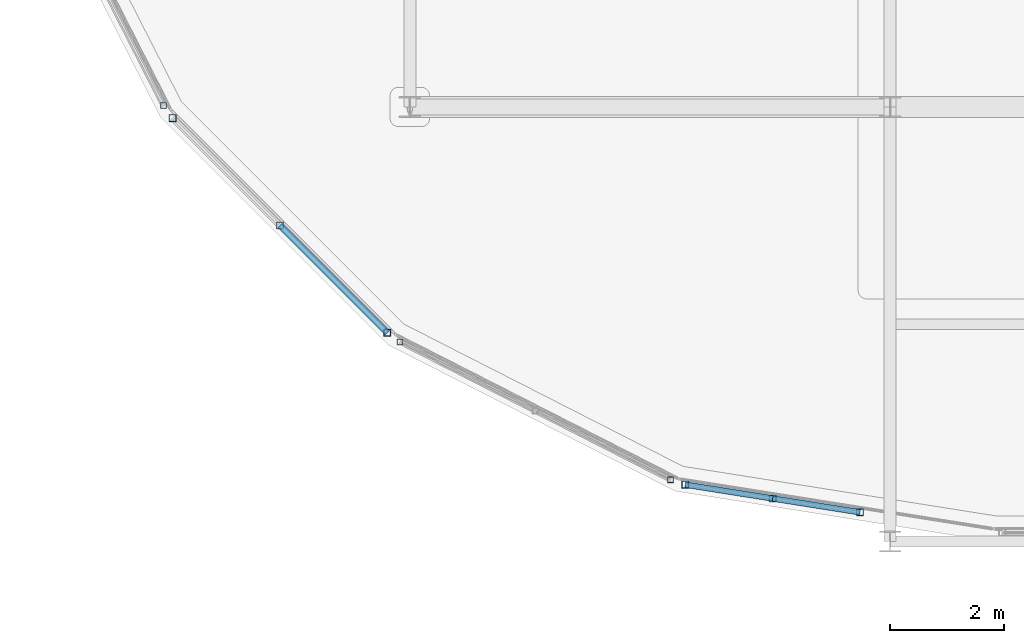
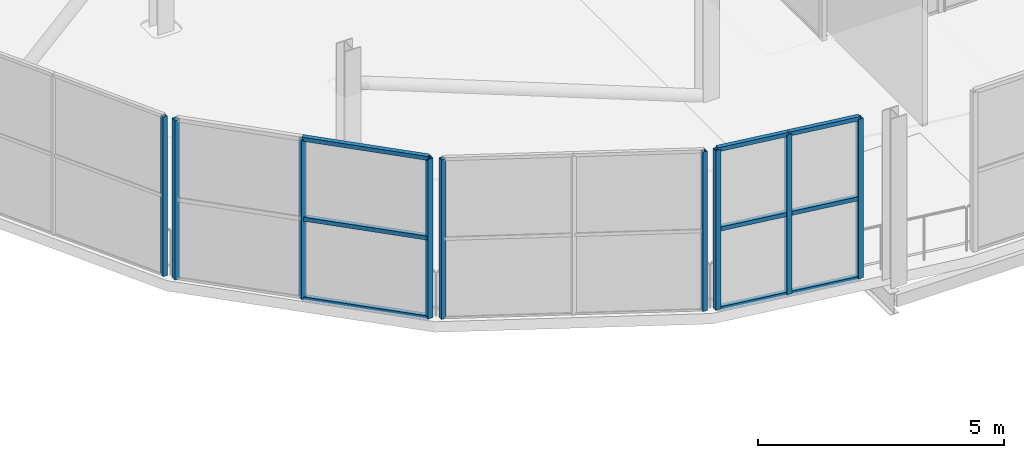
# One storey, part 14 of 217: 18 members, 4 elements without a shape of their own.
"""IFC4 building model written with IfcOpenShell, lengths in metres."""

import ifcopenshell
import ifcopenshell.guid

model = None  # the IFC model being written
_history = None  # IfcOwnerHistory: only IFC2X3 demands one
_inside = {}  # id of a spatial element -> (the spatial element, [elements in it])
_under = {}  # id of a project, library or spatial element -> (it, [spatial elements below it])
_declared = {}  # id of a project -> (the project, [libraries it declares])
_typed = {}  # id of a type object -> (the type object, [elements of that type])
_made_of = {}  # id of a material, layer set ... -> (it, [elements and type objects made of it])


def new_model(schema):
    """Start an empty IFC model of exactly this schema.

    Asked for "IFC4X3", IfcOpenShell would pick the latest addendum, in which some entities
    have other attributes; the version numbers below select the first issue.
    IFC2X3 requires an IfcOwnerHistory on every rooted entity: one is made here for all.
    """
    global model, _history
    if schema == "IFC4X3":
        model = ifcopenshell.file(schema_version=(4, 3, 0, 0))
    else:
        model = ifcopenshell.file(schema=schema)
    _inside.clear()
    _under.clear()
    _declared.clear()
    _typed.clear()
    _made_of.clear()
    _history = None
    if model.schema == "IFC2X3":
        org = make("IfcOrganization", Name="unknown")
        user = make(
            "IfcPersonAndOrganization",
            ThePerson=make("IfcPerson", FamilyName="unknown"),
            TheOrganization=org,
        )
        app = make(
            "IfcApplication",
            ApplicationDeveloper=org,
            Version="unknown",
            ApplicationFullName="unknown",
            ApplicationIdentifier="unknown",
        )
        _history = make(
            "IfcOwnerHistory",
            OwningUser=user,
            OwningApplication=app,
            ChangeAction="ADDED",
            CreationDate=0,
        )
    return model


def make(cls, **values):
    """One entity of the class cls with the attributes given. An attribute that is None is left unset."""
    return model.create_entity(
        cls, **{name: value for name, value in values.items() if value is not None}
    )


def rooted(cls, **values):
    """An entity with a GlobalId (a new one), such as an element, a storey or a relation."""
    return make(cls, GlobalId=ifcopenshell.guid.new(), OwnerHistory=_history, **values)


def si_unit(unit_type, name, prefix=None):
    """IfcSIUnit, for example si_unit("LENGTHUNIT", "METRE", prefix="MILLI")."""
    return make("IfcSIUnit", UnitType=unit_type, Prefix=prefix, Name=name)


def assignment(units):
    """IfcUnitAssignment: the units of a project."""
    return None if units is None else make("IfcUnitAssignment", Units=units)


def point(xyz):
    """IfcCartesianPoint."""
    return None if xyz is None else make("IfcCartesianPoint", Coordinates=xyz)


def direction(xyz):
    """IfcDirection."""
    return None if xyz is None else make("IfcDirection", DirectionRatios=xyz)


def frame(location, z_axis=None, x_axis=None):
    """IfcAxis2Placement3D, a coordinate frame: its origin and axes. An axis left out is left unset."""
    return make(
        "IfcAxis2Placement3D",
        Location=point(location),
        Axis=direction(z_axis),
        RefDirection=direction(x_axis),
    )


def frame_2d(location, x_axis=None):
    """IfcAxis2Placement2D, a coordinate frame in the plane: its origin and x axis."""
    return make(
        "IfcAxis2Placement2D", Location=point(location), RefDirection=direction(x_axis)
    )


def origin():
    """The frame at (0, 0, 0) with its axes left unset."""
    return frame((0.0, 0.0, 0.0))


def origin_2d():
    """The frame at (0, 0) in the plane with its x axis left unset."""
    return frame_2d((0.0, 0.0))


def place(relative_to, where):
    """IfcLocalPlacement: puts the frame where relative to a parent placement (None: the world)."""
    return make(
        "IfcLocalPlacement", PlacementRelTo=relative_to, RelativePlacement=where
    )


def context(
    kind, dimensions, precision=None, world=None, true_north=None, identifier=None
):
    """IfcGeometricRepresentationContext, for example the 3D "Model" context."""
    return make(
        "IfcGeometricRepresentationContext",
        ContextIdentifier=identifier,
        ContextType=kind,
        CoordinateSpaceDimension=dimensions,
        Precision=precision,
        WorldCoordinateSystem=world,
        TrueNorth=true_north,
    )


def subcontext(parent, identifier, kind, view, scale=None):
    """IfcGeometricRepresentationSubContext, for example "Body" below "Model"."""
    return make(
        "IfcGeometricRepresentationSubContext",
        ContextIdentifier=identifier,
        ContextType=kind,
        ParentContext=parent,
        TargetScale=scale,
        TargetView=view,
    )


def project(units=None, contexts=None):
    """IfcProject with its units and contexts."""
    return rooted(
        "IfcProject",
        Name="project",
        RepresentationContexts=contexts,
        UnitsInContext=assignment(units),
    )


def spatial(cls, under=None, at=None, **own):
    """A site, building, storey or space (cls), placed at a placement, below another one or the project."""
    s = rooted(cls, ObjectPlacement=at, **own)
    if under is not None:
        _under.setdefault(under.id(), (under, []))[1].append(s)
    return s


def profile(cls, at=None, kind="AREA", **sizes):
    """A parametric profile (cls). Its sizes go by their IFC names, for example OverallWidth=200.0."""
    return make(cls, ProfileType=kind, Position=at, **sizes)


def hollow_rectangle(**sizes):
    """IfcRectangleHollowProfileDef."""
    return profile("IfcRectangleHollowProfileDef", **sizes)


def extrude(swept, where, along, depth):
    """IfcExtrudedAreaSolid: the profile swept, set in the frame where, extruded along a direction by depth."""
    return make(
        "IfcExtrudedAreaSolid",
        SweptArea=swept,
        Position=where,
        ExtrudedDirection=direction(along),
        Depth=depth,
    )


def shape(context_of_items, identifier, shape_type, items):
    """IfcShapeRepresentation: the items that make up one representation, for example the "Body"."""
    return make(
        "IfcShapeRepresentation",
        ContextOfItems=context_of_items,
        RepresentationIdentifier=identifier,
        RepresentationType=shape_type,
        Items=items,
    )


def material(Name=None, Category=None):
    """IfcMaterial."""
    return make("IfcMaterial", Name=Name, Category=Category)


def material_profile(
    of_material, cross_section, Name=None, Category=None, Priority=None
):
    """IfcMaterialProfile: a cross section and its material."""
    return make(
        "IfcMaterialProfile",
        Name=Name,
        Material=of_material,
        Profile=cross_section,
        Priority=Priority,
        Category=Category,
    )


def profile_set(profiles, Name=None, composite=None):
    """IfcMaterialProfileSet."""
    return make(
        "IfcMaterialProfileSet",
        Name=Name,
        MaterialProfiles=profiles,
        CompositeProfile=composite,
    )


def made_of(thing, what):
    """Note that an element or type object is made of a material, layer set ...; save() writes the relation."""
    if what is not None:
        _made_of.setdefault(what.id(), (what, []))[1].append(thing)
    return thing


def type_object(cls, material=None, **own):
    """A type object (cls), such as IfcWallType, which elements share."""
    return made_of(rooted(cls, **own), material)


def element(
    cls,
    number,
    at=None,
    inside=None,
    cuts=None,
    type_object=None,
    material=None,
    context=None,
    identifier="Body",
    shape_type=None,
    held_by="IfcProductDefinitionShape",
    body=None,
    shapes=None,
    **own,
):
    """One element of the class cls, such as IfcWall. Its Tag is "e" and its number.

    at: its placement. inside: the storey or other place that contains it. cuts: it is an
    opening in that element (IfcRelVoidsElement). A single representation is given by context,
    identifier, shape_type and body (its items); several are given by shapes. held_by: the class
    of the entity that holds the representations. save() writes the other relations.
    """
    e = rooted(cls, Tag="e%d" % number, ObjectPlacement=at, **own)
    if body is not None:
        shapes = [shape(context, identifier, shape_type, body)]
    if shapes is not None:
        e.Representation = make(held_by, Representations=shapes)
    if inside is not None:
        _inside.setdefault(inside.id(), (inside, []))[1].append(e)
    if cuts is not None:
        rooted(
            "IfcRelVoidsElement", RelatingBuildingElement=cuts, RelatedOpeningElement=e
        )
    if type_object is not None:
        _typed.setdefault(type_object.id(), (type_object, []))[1].append(e)
    return made_of(e, material)


def aggregate(whole, parts):
    """IfcRelAggregates: a whole, such as a stair, and the parts it consists of."""
    return rooted("IfcRelAggregates", RelatingObject=whole, RelatedObjects=parts)


def save(model, path):
    """Write the relations noted so far, then the file.

    IfcRelAggregates (storeys below a building ...), IfcRelContainedInSpatialStructure (elements
    in a storey), IfcRelDefinesByType, IfcRelAssociatesMaterial and IfcRelDeclares: one each for
    every whole, place, type object, material and project.
    """
    for whole, parts in _under.values():
        aggregate(whole, parts)
    for where, things in _inside.values():
        rooted(
            "IfcRelContainedInSpatialStructure",
            RelatedElements=things,
            RelatingStructure=where,
        )
    for kind, things in _typed.values():
        rooted("IfcRelDefinesByType", RelatedObjects=things, RelatingType=kind)
    for what, things in _made_of.values():
        rooted("IfcRelAssociatesMaterial", RelatedObjects=things, RelatingMaterial=what)
    for by, libraries in _declared.values():
        rooted("IfcRelDeclares", RelatingContext=by, RelatedDefinitions=libraries)
    model.write(path)


model = new_model("IFC4")

# Units and contexts
model_context = context("Model", 3, precision=1e-05, world=origin(), true_north=direction((0.0, 1.0)))
body_context = subcontext(model_context, "Body", "Model", "MODEL_VIEW")
ifc_project = project(units=[si_unit("LENGTHUNIT", "METRE"), si_unit("AREAUNIT", "SQUARE_METRE"), si_unit("VOLUMEUNIT", "CUBIC_METRE"), si_unit("PLANEANGLEUNIT", "RADIAN"), si_unit("MASSUNIT", "GRAM", prefix="KILO")], contexts=[model_context])

# Site, building, storey
site_placement = place(None, origin())
site = spatial("IfcSite", under=ifc_project, at=site_placement, CompositionType="ELEMENT")
building_placement = place(site_placement, origin())
building = spatial("IfcBuilding", under=site, at=building_placement, Name="Zuvorla Pavilion Media Centre", CompositionType="ELEMENT")
storey_placement = place(building_placement, frame((0.0, 0.0, 9.60009765625)))
storey = spatial("IfcBuildingStorey", under=building, at=storey_placement, Name="L02", CompositionType="ELEMENT", Elevation=9.60009765625)

# Curtain wall, member
ifc_material_1 = material(Name="Unitised anodised aluminium and solar glass curtain wall", Category="aluminium")
curtain_wall_type_1 = type_object("IfcCurtainWallType", Name="CW-SYS-02", PredefinedType="USERDEFINED", material=ifc_material_1)
curtain_wall_1_placement = place(storey_placement, origin())
curtain_wall_1 = element("IfcCurtainWall", 1, at=curtain_wall_1_placement, inside=storey, type_object=curtain_wall_type_1, Name="L02 curtain wall CW02 34", ObjectType="CURTAIN WALL", PredefinedType="USERDEFINED")
ifc_material_2 = material(Name="Anodised aluminium 6063-T6", Category="aluminium")
ifc_material_profile_1 = material_profile(ifc_material_2, hollow_rectangle(XDim=0.10009765625, YDim=0.10009765625, WallThickness=0.00439453125, at=origin_2d()), Name="ALU MULL 100x100")
ifc_profile_set_1 = profile_set([ifc_material_profile_1], Name="Anodised aluminium 6063-T6")
member_type_1 = type_object("IfcMemberType", Name="CW-MULL-100", PredefinedType="MULLION", material=ifc_profile_set_1)
member_1_placement = place(storey_placement, frame((12.08984375, 51.6259765625, 0.0), z_axis=(0.0, 0.0, 1.0), x_axis=(1.0, 0.0, 0.0)))
member_1 = element("IfcMember", 2, at=member_1_placement, type_object=member_type_1, Name="CW02 mullion 3", PredefinedType="MULLION", context=body_context, shape_type="SweptSolid", body=[
    extrude(hollow_rectangle(XDim=0.10009765625, YDim=0.10009765625, WallThickness=0.00439453125, at=origin_2d()), origin(), (0.0, 0.0, 1.0), 3.949951171875),
])
aggregate(curtain_wall_1, [member_1])

# Curtain wall, members
curtain_wall_type_2 = type_object("IfcCurtainWallType", Name="CW-SYS-04", PredefinedType="USERDEFINED", material=ifc_material_1)
curtain_wall_2_placement = place(storey_placement, origin())
curtain_wall_2 = element("IfcCurtainWall", 3, at=curtain_wall_2_placement, inside=storey, type_object=curtain_wall_type_2, Name="L02 curtain wall CW04 36", ObjectType="CURTAIN WALL", PredefinedType="USERDEFINED")
member_2_placement = place(storey_placement, frame((16.22607421875, 47.48974609375, 0.0), z_axis=(0.0, 0.0, 1.0), x_axis=(1.0, 0.0, 0.0)))
member_2 = element("IfcMember", 4, at=member_2_placement, type_object=member_type_1, Name="CW04 mullion 1", PredefinedType="MULLION", context=body_context, shape_type="SweptSolid", body=[
    extrude(hollow_rectangle(XDim=0.10009765625, YDim=0.10009765625, WallThickness=0.00439453125, at=origin_2d()), origin(), (0.0, 0.0, 1.0), 3.949951171875),
])
member_3_placement = place(storey_placement, frame((20.958740234375, 45.078369140625, 0.0), z_axis=(0.0, 0.0, 1.0), x_axis=(1.0, 0.0, 0.0)))
member_3 = element("IfcMember", 5, at=member_3_placement, type_object=member_type_1, Name="CW04 mullion 3", PredefinedType="MULLION", context=body_context, shape_type="SweptSolid", body=[
    extrude(hollow_rectangle(XDim=0.10009765625, YDim=0.10009765625, WallThickness=0.00439453125, at=origin_2d()), origin(), (0.0, 0.0, 1.0), 3.949951171875),
])
aggregate(curtain_wall_2, [member_2, member_3])

curtain_wall_type_3 = type_object("IfcCurtainWallType", Name="CW-SYS-03", PredefinedType="USERDEFINED", material=ifc_material_1)
curtain_wall_3_placement = place(storey_placement, origin())
curtain_wall_3 = element("IfcCurtainWall", 6, at=curtain_wall_3_placement, inside=storey, type_object=curtain_wall_type_3, Name="L02 curtain wall CW03 35", ObjectType="CURTAIN WALL", PredefinedType="USERDEFINED")
ifc_material_profile_2 = material_profile(ifc_material_2, hollow_rectangle(XDim=0.1201171875, YDim=0.1201171875, WallThickness=0.0048828125, at=origin_2d()), Name="ALU MULL 120x120")
ifc_profile_set_2 = profile_set([ifc_material_profile_2], Name="Anodised aluminium 6063-T6")
member_type_2 = type_object("IfcMemberType", Name="CW-MULL-120", PredefinedType="MULLION", material=ifc_profile_set_2)
member_4_placement = place(storey_placement, frame((12.249755859375, 51.40576171875, 0.0), z_axis=(0.0, 0.0, 1.0), x_axis=(1.0, 0.0, 0.0)))
member_4 = element("IfcMember", 7, at=member_4_placement, type_object=member_type_2, Name="CW03 mullion 1", PredefinedType="MULLION", context=body_context, shape_type="SweptSolid", body=[
    extrude(hollow_rectangle(XDim=0.1201171875, YDim=0.1201171875, WallThickness=0.0048828125, at=origin_2d()), origin(), (0.0, 0.0, 1.0), 3.949951171875),
])
member_5_placement = place(storey_placement, frame((14.127685546875, 49.52783203125, 0.0), z_axis=(0.0, 0.0, 1.0), x_axis=(1.0, 0.0, 0.0)))
member_5 = element("IfcMember", 8, at=member_5_placement, type_object=member_type_2, Name="CW03 mullion 2", PredefinedType="MULLION", context=body_context, shape_type="SweptSolid", body=[
    extrude(hollow_rectangle(XDim=0.1201171875, YDim=0.1201171875, WallThickness=0.0048828125, at=origin_2d()), origin(), (0.0, 0.0, 1.0), 3.949951171875),
])
member_6_placement = place(storey_placement, frame((16.005859375, 47.64990234375, 0.0), z_axis=(0.0, 0.0, 1.0), x_axis=(1.0, 0.0, 0.0)))
member_6 = element("IfcMember", 9, at=member_6_placement, type_object=member_type_2, Name="CW03 mullion 3", PredefinedType="MULLION", context=body_context, shape_type="SweptSolid", body=[
    extrude(hollow_rectangle(XDim=0.1201171875, YDim=0.1201171875, WallThickness=0.0048828125, at=origin_2d()), origin(), (0.0, 0.0, 1.0), 3.949951171875),
])

curtain_wall_type_4 = type_object("IfcCurtainWallType", Name="CW-SYS-06", PredefinedType="USERDEFINED", material=ifc_material_1)
curtain_wall_4_placement = place(storey_placement, origin())
curtain_wall_4 = element("IfcCurtainWall", 10, at=curtain_wall_4_placement, inside=storey, type_object=curtain_wall_type_4, Name="L02 curtain wall CW06 37", ObjectType="CURTAIN WALL", PredefinedType="USERDEFINED")
member_7_placement = place(storey_placement, frame((21.217529296875, 44.994140625, 0.0), z_axis=(0.0, 0.0, 1.0), x_axis=(1.0, 0.0, 0.0)))
member_7 = element("IfcMember", 11, at=member_7_placement, type_object=member_type_2, Name="CW06 mullion 1", PredefinedType="MULLION", context=body_context, shape_type="SweptSolid", body=[
    extrude(hollow_rectangle(XDim=0.1201171875, YDim=0.1201171875, WallThickness=0.0048828125, at=origin_2d()), origin(), (0.0, 0.0, 1.0), 3.949951171875),
])
member_8_placement = place(storey_placement, frame((22.745361328125, 44.752197265625, 0.0), z_axis=(0.0, 0.0, 1.0), x_axis=(1.0, 0.0, 0.0)))
member_8 = element("IfcMember", 12, at=member_8_placement, type_object=member_type_2, Name="CW06 mullion 2", PredefinedType="MULLION", context=body_context, shape_type="SweptSolid", body=[
    extrude(hollow_rectangle(XDim=0.1201171875, YDim=0.1201171875, WallThickness=0.0048828125, at=origin_2d()), origin(), (0.0, 0.0, 1.0), 3.949951171875),
])
member_9_placement = place(storey_placement, frame((24.273193359375, 44.51025390625, 0.0), z_axis=(0.0, 0.0, 1.0), x_axis=(1.0, 0.0, 0.0)))
member_9 = element("IfcMember", 13, at=member_9_placement, type_object=member_type_2, Name="CW06 mullion 3", PredefinedType="MULLION", context=body_context, shape_type="SweptSolid", body=[
    extrude(hollow_rectangle(XDim=0.1201171875, YDim=0.1201171875, WallThickness=0.0048828125, at=origin_2d()), origin(), (0.0, 0.0, 1.0), 3.949951171875),
])

# Member
ifc_material_profile_3 = material_profile(ifc_material_2, hollow_rectangle(XDim=0.10009765625, YDim=0.10009765625, WallThickness=0.00439453125, at=origin_2d()), Name="ALU TRAN 100x100")
ifc_profile_set_3 = profile_set([ifc_material_profile_3], Name="Anodised aluminium 6063-T6")
member_type_3 = type_object("IfcMemberType", Name="CW-TRAN-100", PredefinedType="USERDEFINED", material=ifc_profile_set_3)
member_10_placement = place(storey_placement, frame((14.127685546875, 49.52783203125, 0.0), z_axis=(0.707152740485, -0.707060818901, 0.0), x_axis=(0.707060818901, 0.707152740485, 0.0)))
member_10 = element("IfcMember", 14, at=member_10_placement, type_object=member_type_3, Name="CW03 transom 2.1", ObjectType="TRANSOM", PredefinedType="USERDEFINED", context=body_context, shape_type="SweptSolid", body=[
    extrude(hollow_rectangle(XDim=0.10009765625, YDim=0.10009765625, WallThickness=0.00439453125, at=origin_2d()), origin(), (0.0, 0.0, 1.0), 2.656005859375),
])

member_11_placement = place(storey_placement, frame((14.127685546875, 49.52783203125, 1.974853515625), z_axis=(0.707152740485, -0.707060818901, 0.0), x_axis=(0.707060818901, 0.707152740485, 0.0)))
member_11 = element("IfcMember", 15, at=member_11_placement, type_object=member_type_3, Name="CW03 transom 2.2", ObjectType="TRANSOM", PredefinedType="USERDEFINED", context=body_context, shape_type="SweptSolid", body=[
    extrude(hollow_rectangle(XDim=0.10009765625, YDim=0.10009765625, WallThickness=0.00439453125, at=origin_2d()), origin(), (0.0, 0.0, 1.0), 2.656005859375),
])

member_12_placement = place(storey_placement, frame((14.127685546875, 49.52783203125, 3.949951171875), z_axis=(0.707152740485, -0.707060818901, 0.0), x_axis=(0.707060818901, 0.707152740485, 0.0)))
member_12 = element("IfcMember", 16, at=member_12_placement, type_object=member_type_3, Name="CW03 transom 2.3", ObjectType="TRANSOM", PredefinedType="USERDEFINED", context=body_context, shape_type="SweptSolid", body=[
    extrude(hollow_rectangle(XDim=0.10009765625, YDim=0.10009765625, WallThickness=0.00439453125, at=origin_2d()), origin(), (0.0, 0.0, 1.0), 2.656005859375),
])

aggregate(curtain_wall_3, [member_4, member_5, member_6, member_10, member_11, member_12])

member_13_placement = place(storey_placement, frame((21.217529296875, 44.994140625, 0.0), z_axis=(0.987692481644, -0.156408317243, 0.0), x_axis=(0.156408317243, 0.987692481644, 0.0)))
member_13 = element("IfcMember", 17, at=member_13_placement, type_object=member_type_3, Name="CW06 transom 1.1", ObjectType="TRANSOM", PredefinedType="USERDEFINED", context=body_context, shape_type="SweptSolid", body=[
    extrude(hollow_rectangle(XDim=0.10009765625, YDim=0.10009765625, WallThickness=0.00439453125, at=origin_2d()), origin(), (0.0, 0.0, 1.0), 1.546875),
])

member_14_placement = place(storey_placement, frame((21.217529296875, 44.994140625, 1.974853515625), z_axis=(0.987692481644, -0.156408317243, 0.0), x_axis=(0.156408317243, 0.987692481644, 0.0)))
member_14 = element("IfcMember", 18, at=member_14_placement, type_object=member_type_3, Name="CW06 transom 1.2", ObjectType="TRANSOM", PredefinedType="USERDEFINED", context=body_context, shape_type="SweptSolid", body=[
    extrude(hollow_rectangle(XDim=0.10009765625, YDim=0.10009765625, WallThickness=0.00439453125, at=origin_2d()), origin(), (0.0, 0.0, 1.0), 1.546875),
])

member_15_placement = place(storey_placement, frame((21.217529296875, 44.994140625, 3.949951171875), z_axis=(0.987692481644, -0.156408317243, 0.0), x_axis=(0.156408317243, 0.987692481644, 0.0)))
member_15 = element("IfcMember", 19, at=member_15_placement, type_object=member_type_3, Name="CW06 transom 1.3", ObjectType="TRANSOM", PredefinedType="USERDEFINED", context=body_context, shape_type="SweptSolid", body=[
    extrude(hollow_rectangle(XDim=0.10009765625, YDim=0.10009765625, WallThickness=0.00439453125, at=origin_2d()), origin(), (0.0, 0.0, 1.0), 1.546875),
])

member_16_placement = place(storey_placement, frame((22.745361328125, 44.752197265625, 0.0), z_axis=(0.987692481644, -0.156408317243, 0.0), x_axis=(0.156408317243, 0.987692481644, 0.0)))
member_16 = element("IfcMember", 20, at=member_16_placement, type_object=member_type_3, Name="CW06 transom 2.1", ObjectType="TRANSOM", PredefinedType="USERDEFINED", context=body_context, shape_type="SweptSolid", body=[
    extrude(hollow_rectangle(XDim=0.10009765625, YDim=0.10009765625, WallThickness=0.00439453125, at=origin_2d()), origin(), (0.0, 0.0, 1.0), 1.546875),
])

member_17_placement = place(storey_placement, frame((22.745361328125, 44.752197265625, 1.974853515625), z_axis=(0.987692481644, -0.156408317243, 0.0), x_axis=(0.156408317243, 0.987692481644, 0.0)))
member_17 = element("IfcMember", 21, at=member_17_placement, type_object=member_type_3, Name="CW06 transom 2.2", ObjectType="TRANSOM", PredefinedType="USERDEFINED", context=body_context, shape_type="SweptSolid", body=[
    extrude(hollow_rectangle(XDim=0.10009765625, YDim=0.10009765625, WallThickness=0.00439453125, at=origin_2d()), origin(), (0.0, 0.0, 1.0), 1.546875),
])

member_18_placement = place(storey_placement, frame((22.745361328125, 44.752197265625, 3.949951171875), z_axis=(0.987692481644, -0.156408317243, 0.0), x_axis=(0.156408317243, 0.987692481644, 0.0)))
member_18 = element("IfcMember", 22, at=member_18_placement, type_object=member_type_3, Name="CW06 transom 2.3", ObjectType="TRANSOM", PredefinedType="USERDEFINED", context=body_context, shape_type="SweptSolid", body=[
    extrude(hollow_rectangle(XDim=0.10009765625, YDim=0.10009765625, WallThickness=0.00439453125, at=origin_2d()), origin(), (0.0, 0.0, 1.0), 1.546875),
])

aggregate(curtain_wall_4, [member_7, member_8, member_9, member_13, member_14, member_15, member_16, member_17, member_18])

save(model, "model.ifc")
